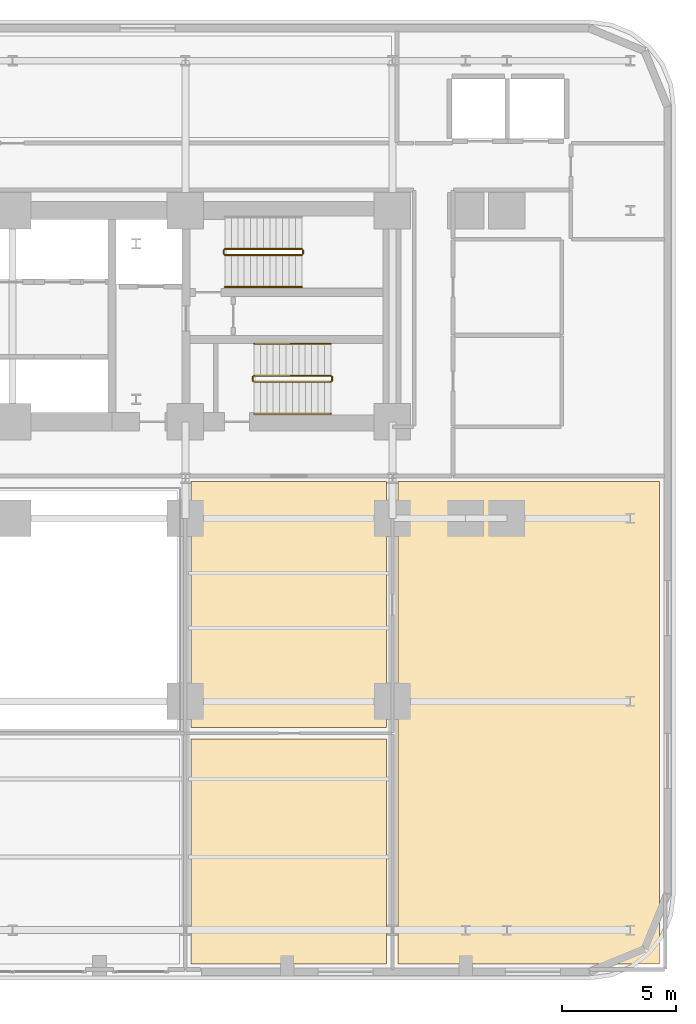
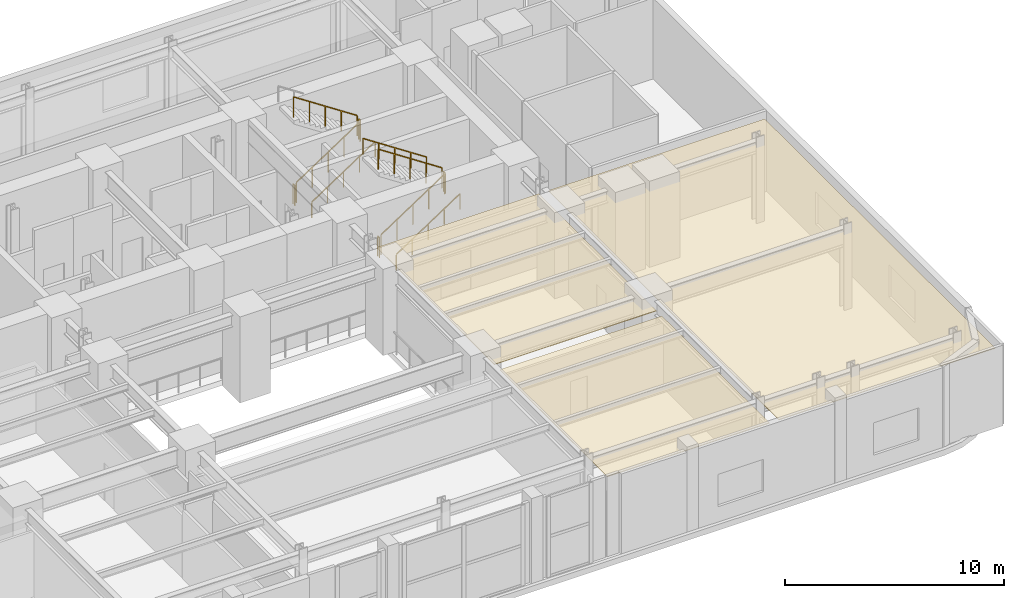
# One storey, part 14 of 16: 11 railings, 3 coverings.
"""IFC4 building model written with IfcOpenShell, lengths in metres."""

from ifc_helpers import new_model, si_unit, direction, frame, origin, origin_2d, place, context, subcontext, project, spatial, polyline, rectangle, outline, extrude, material, layer, layer_set, type_object, element, save


model = new_model("IFC4")

# Units and contexts
model_context = context("Model", 3, precision=1e-05, world=origin(), true_north=direction((0.0, 1.0)))
body_context = subcontext(model_context, "Body", "Model", "MODEL_VIEW")
ifc_project = project(units=[si_unit("LENGTHUNIT", "METRE"), si_unit("AREAUNIT", "SQUARE_METRE"), si_unit("VOLUMEUNIT", "CUBIC_METRE"), si_unit("PLANEANGLEUNIT", "RADIAN"), si_unit("MASSUNIT", "GRAM", prefix="KILO")], contexts=[model_context])

# Site, building, storey
site_placement = place(None, origin())
site = spatial("IfcSite", under=ifc_project, at=site_placement, CompositionType="ELEMENT")
building_placement = place(site_placement, origin())
building = spatial("IfcBuilding", under=site, at=building_placement, Name="Zarnavel Station Tower", CompositionType="ELEMENT")
storey_placement = place(building_placement, frame((0.0, 0.0, 19.39990234375)))
storey = spatial("IfcBuildingStorey", under=building, at=storey_placement, Name="L05", CompositionType="ELEMENT", Elevation=19.39990234375)

# Coverings
ifc_material_1 = material(Name="Perforated Gypsum and Mineral-Wool Acoustic Ceiling", Category="concrete")
ifc_layer = layer(ifc_material_1, 0.0400390625)
ifc_layer_set = layer_set([ifc_layer], Name="COV_CEIL_ACOUSTIC")
covering_type = type_object("IfcCoveringType", Name="COV_CEIL_ACOUSTIC", PredefinedType="CEILING", material=ifc_layer_set)
covering_1_placement = place(storey_placement, frame((0.0, 0.0, 4.18017578125)))
element("IfcCovering", 1, at=covering_1_placement, inside=storey, type_object=covering_type, Name="L05 CONF1 Acoustic Ceiling", PredefinedType="CEILING", context=body_context, shape_type="SweptSolid", body=[
    extrude(outline(polyline([(36.60009765625, 4.1298828125), (45.14990234375, 4.1298828125), (45.14990234375, 13.949951171875), (36.60009765625, 13.949951171875), (36.60009765625, 4.1298828125)])), origin(), (0.0, 0.0, 1.0), 0.0400390625),
])
covering_2_placement = place(storey_placement, frame((0.0, 0.0, 4.18017578125)))
element("IfcCovering", 2, at=covering_2_placement, inside=storey, type_object=covering_type, Name="L05 CONF2 Acoustic Ceiling", PredefinedType="CEILING", context=body_context, shape_type="SweptSolid", body=[
    extrude(outline(polyline([(36.60009765625, 14.449951171875), (45.14990234375, 14.449951171875), (45.14990234375, 25.199951171875), (36.60009765625, 25.199951171875), (36.60009765625, 14.449951171875)])), origin(), (0.0, 0.0, 1.0), 0.0400390625),
])
covering_3_placement = place(storey_placement, frame((0.0, 0.0, 4.18017578125)))
element("IfcCovering", 3, at=covering_3_placement, inside=storey, type_object=covering_type, Name="L05 CONF3 Acoustic Ceiling", PredefinedType="CEILING", context=body_context, shape_type="SweptSolid", body=[
    extrude(outline(polyline([(45.64990234375, 4.1298828125), (57.070068359375, 4.1298828125), (57.070068359375, 25.199951171875), (45.64990234375, 25.199951171875), (45.64990234375, 4.1298828125)])), origin(), (0.0, 0.0, 1.0), 0.0400390625),
])

# Railings
ifc_material_2 = material(Name="Painted Steel S355J2 Balustrade", Category="steel")
railing_type_1 = type_object("IfcRailingType", Name="GR_INT_1150", PredefinedType="GUARDRAIL", material=ifc_material_2)
railing_1_placement = place(storey_placement, frame((38.080078125, 35.110107421875, 0.184814453125)))
element("IfcRailing", 4, at=railing_1_placement, inside=storey, type_object=railing_type_1, Name="L05 ST2 stair guard 1", PredefinedType="GUARDRAIL", context=body_context, shape_type="SweptSolid", body=[
    extrude(rectangle(XDim=0.048095703125, YDim=0.048095703125, at=origin_2d()), frame((0.001708984375, 0.0, 1.126953125), z_axis=(0.834858096282, 0.0, 0.550465220583), x_axis=(0.0, 1.0, 0.0)), (0.0, 0.0, 1.0), 4.0205078125),
    extrude(rectangle(XDim=0.0419921875, YDim=0.0419921875, at=origin_2d()), origin(), (0.0, 0.0, 1.0), 1.101806640625),
    extrude(rectangle(XDim=0.0419921875, YDim=0.0419921875, at=origin_2d()), frame((0.83984375, 0.0, 0.5537109375)), (0.0, 0.0, 1.0), 1.101806640625),
    extrude(rectangle(XDim=0.0419921875, YDim=0.0419921875, at=origin_2d()), frame((1.679931640625, 0.0, 1.107666015625)), (0.0, 0.0, 1.0), 1.101806640625),
    extrude(rectangle(XDim=0.0419921875, YDim=0.0419921875, at=origin_2d()), frame((2.52001953125, 0.0, 1.66162109375)), (0.0, 0.0, 1.0), 1.101806640625),
    extrude(rectangle(XDim=0.0419921875, YDim=0.0419921875, at=origin_2d()), frame((3.35986328125, 0.0, 2.21533203125)), (0.0, 0.0, 1.0), 1.101806640625),
])
railing_2_placement = place(storey_placement, frame((41.489990234375, 35.159912109375, 2.400146484375)))
element("IfcRailing", 5, at=railing_2_placement, inside=storey, type_object=railing_type_1, Name="L05 ST2 stair guard 2", PredefinedType="GUARDRAIL", context=body_context, shape_type="SweptSolid", body=[
    extrude(rectangle(XDim=0.048095703125, YDim=0.048095703125, at=origin_2d()), frame((0.0, 0.001953125, 1.1259765625), z_axis=(0.0, 1.0, 0.0), x_axis=(-1.0, 0.0, 0.0)), (0.0, 0.0, 1.0), 0.15625),
    extrude(rectangle(XDim=0.0419921875, YDim=0.0419921875, at=origin_2d()), origin(), (0.0, 0.0, 1.0), 1.101806640625),
    extrude(rectangle(XDim=0.0419921875, YDim=0.0419921875, at=origin_2d()), frame((0.0, 0.16015625, 0.0)), (0.0, 0.0, 1.0), 1.101806640625),
])
railing_3_placement = place(storey_placement, frame((41.43994140625, 35.3701171875, 2.584716796875)))
element("IfcRailing", 6, at=railing_3_placement, inside=storey, type_object=railing_type_1, Name="L05 ST2 stair guard 3", PredefinedType="GUARDRAIL", context=body_context, shape_type="SweptSolid", body=[
    extrude(rectangle(XDim=0.048095703125, YDim=0.048095703125, at=origin_2d()), frame((-0.001708984375, 0.0, 1.126953125), z_axis=(-0.834858096282, 0.0, 0.550465220583), x_axis=(0.0, -1.0, 0.0)), (0.0, 0.0, 1.0), 4.0205078125),
    extrude(rectangle(XDim=0.0419921875, YDim=0.0419921875, at=origin_2d()), origin(), (0.0, 0.0, 1.0), 1.101806640625),
    extrude(rectangle(XDim=0.0419921875, YDim=0.0419921875, at=origin_2d()), frame((-0.83984375, 0.0, 0.5537109375)), (0.0, 0.0, 1.0), 1.101806640625),
    extrude(rectangle(XDim=0.0419921875, YDim=0.0419921875, at=origin_2d()), frame((-1.679931640625, 0.0, 1.107666015625)), (0.0, 0.0, 1.0), 1.101806640625),
    extrude(rectangle(XDim=0.0419921875, YDim=0.0419921875, at=origin_2d()), frame((-2.52001953125, 0.0, 1.66162109375)), (0.0, 0.0, 1.0), 1.101806640625),
    extrude(rectangle(XDim=0.0419921875, YDim=0.0419921875, at=origin_2d()), frame((-3.35986328125, 0.0, 2.21533203125)), (0.0, 0.0, 1.0), 1.101806640625),
])
railing_4_placement = place(storey_placement, frame((38.030029296875, 35.159912109375, 0.0)))
element("IfcRailing", 7, at=railing_4_placement, inside=storey, type_object=railing_type_1, Name="L05 ST2 stair guard 4", PredefinedType="GUARDRAIL", context=body_context, shape_type="SweptSolid", body=[
    extrude(rectangle(XDim=0.048095703125, YDim=0.048095703125, at=origin_2d()), frame((0.0, 0.001953125, 1.1259765625), z_axis=(0.0, 1.0, 0.0), x_axis=(-1.0, 0.0, 0.0)), (0.0, 0.0, 1.0), 0.15625),
    extrude(rectangle(XDim=0.0419921875, YDim=0.0419921875, at=origin_2d()), origin(), (0.0, 0.0, 1.0), 1.101806640625),
    extrude(rectangle(XDim=0.0419921875, YDim=0.0419921875, at=origin_2d()), frame((0.0, 0.16015625, 0.0)), (0.0, 0.0, 1.0), 1.101806640625),
])
railing_5_placement = place(storey_placement, frame((39.35009765625, 29.570068359375, 0.184814453125)))
element("IfcRailing", 8, at=railing_5_placement, inside=storey, type_object=railing_type_1, Name="L05 ST3 stair guard 1", PredefinedType="GUARDRAIL", context=body_context, shape_type="SweptSolid", body=[
    extrude(rectangle(XDim=0.048095703125, YDim=0.048095703125, at=origin_2d()), frame((0.001708984375, 0.0, 1.126953125), z_axis=(0.834858096282, 0.0, 0.550465220583), x_axis=(0.0, 1.0, 0.0)), (0.0, 0.0, 1.0), 4.0205078125),
    extrude(rectangle(XDim=0.0419921875, YDim=0.0419921875, at=origin_2d()), origin(), (0.0, 0.0, 1.0), 1.101806640625),
    extrude(rectangle(XDim=0.0419921875, YDim=0.0419921875, at=origin_2d()), frame((0.83984375, 0.0, 0.5537109375)), (0.0, 0.0, 1.0), 1.101806640625),
    extrude(rectangle(XDim=0.0419921875, YDim=0.0419921875, at=origin_2d()), frame((1.679931640625, 0.0, 1.107666015625)), (0.0, 0.0, 1.0), 1.101806640625),
    extrude(rectangle(XDim=0.0419921875, YDim=0.0419921875, at=origin_2d()), frame((2.52001953125, 0.0, 1.66162109375)), (0.0, 0.0, 1.0), 1.101806640625),
    extrude(rectangle(XDim=0.0419921875, YDim=0.0419921875, at=origin_2d()), frame((3.35986328125, 0.0, 2.21533203125)), (0.0, 0.0, 1.0), 1.101806640625),
])
railing_6_placement = place(storey_placement, frame((42.760009765625, 29.6201171875, 2.400146484375)))
element("IfcRailing", 9, at=railing_6_placement, inside=storey, type_object=railing_type_1, Name="L05 ST3 stair guard 2", PredefinedType="GUARDRAIL", context=body_context, shape_type="SweptSolid", body=[
    extrude(rectangle(XDim=0.048095703125, YDim=0.048095703125, at=origin_2d()), frame((0.0, 0.001953125, 1.1259765625), z_axis=(0.0, 1.0, 0.0), x_axis=(-1.0, 0.0, 0.0)), (0.0, 0.0, 1.0), 0.156005859375),
    extrude(rectangle(XDim=0.0419921875, YDim=0.0419921875, at=origin_2d()), origin(), (0.0, 0.0, 1.0), 1.101806640625),
    extrude(rectangle(XDim=0.0419921875, YDim=0.0419921875, at=origin_2d()), frame((0.0, 0.159912109375, 0.0)), (0.0, 0.0, 1.0), 1.101806640625),
])
railing_7_placement = place(storey_placement, frame((42.7099609375, 29.830078125, 2.584716796875)))
element("IfcRailing", 10, at=railing_7_placement, inside=storey, type_object=railing_type_1, Name="L05 ST3 stair guard 3", PredefinedType="GUARDRAIL", context=body_context, shape_type="SweptSolid", body=[
    extrude(rectangle(XDim=0.048095703125, YDim=0.048095703125, at=origin_2d()), frame((-0.001708984375, 0.0, 1.126953125), z_axis=(-0.834858096282, 0.0, 0.550465220583), x_axis=(0.0, -1.0, 0.0)), (0.0, 0.0, 1.0), 4.0205078125),
    extrude(rectangle(XDim=0.0419921875, YDim=0.0419921875, at=origin_2d()), origin(), (0.0, 0.0, 1.0), 1.101806640625),
    extrude(rectangle(XDim=0.0419921875, YDim=0.0419921875, at=origin_2d()), frame((-0.83984375, 0.0, 0.5537109375)), (0.0, 0.0, 1.0), 1.101806640625),
    extrude(rectangle(XDim=0.0419921875, YDim=0.0419921875, at=origin_2d()), frame((-1.679931640625, 0.0, 1.107666015625)), (0.0, 0.0, 1.0), 1.101806640625),
    extrude(rectangle(XDim=0.0419921875, YDim=0.0419921875, at=origin_2d()), frame((-2.52001953125, 0.0, 1.66162109375)), (0.0, 0.0, 1.0), 1.101806640625),
    extrude(rectangle(XDim=0.0419921875, YDim=0.0419921875, at=origin_2d()), frame((-3.35986328125, 0.0, 2.21533203125)), (0.0, 0.0, 1.0), 1.101806640625),
])
railing_8_placement = place(storey_placement, frame((39.300048828125, 29.6201171875, 0.0)))
element("IfcRailing", 11, at=railing_8_placement, inside=storey, type_object=railing_type_1, Name="L05 ST3 stair guard 4", PredefinedType="GUARDRAIL", context=body_context, shape_type="SweptSolid", body=[
    extrude(rectangle(XDim=0.048095703125, YDim=0.048095703125, at=origin_2d()), frame((0.0, 0.001953125, 1.1259765625), z_axis=(0.0, 1.0, 0.0), x_axis=(-1.0, 0.0, 0.0)), (0.0, 0.0, 1.0), 0.156005859375),
    extrude(rectangle(XDim=0.0419921875, YDim=0.0419921875, at=origin_2d()), origin(), (0.0, 0.0, 1.0), 1.101806640625),
    extrude(rectangle(XDim=0.0419921875, YDim=0.0419921875, at=origin_2d()), frame((0.0, 0.159912109375, 0.0)), (0.0, 0.0, 1.0), 1.101806640625),
])
ifc_material_3 = material(Name="Brushed Stainless Steel S355J2 Handrail", Category="steel")
railing_type_2 = type_object("IfcRailingType", Name="HR_STAIR_900", PredefinedType="HANDRAIL", material=ifc_material_3)
for number, where, name in (
    (12, (38.080078125, 33.7099609375, 0.184814453125), "L05 ST2 stair handrail 1"),
    (13, (39.35009765625, 28.169921875, 0.184814453125), "L05 ST3 stair handrail 1"),
):
    element("IfcRailing", number, at=place(storey_placement, frame(where)), inside=storey, type_object=railing_type_2, Name=name, PredefinedType="HANDRAIL", context=body_context, shape_type="SweptSolid", body=[
        extrude(rectangle(XDim=0.048095703125, YDim=0.048095703125, at=origin_2d()), frame((0.001708984375, 0.0, 0.876953125), z_axis=(0.834858096282, 0.0, 0.550465220583), x_axis=(0.0, 1.0, 0.0)), (0.0, 0.0, 1.0), 4.0205078125),
        extrude(rectangle(XDim=0.0419921875, YDim=0.0419921875, at=origin_2d()), origin(), (0.0, 0.0, 1.0), 0.851806640625),
        extrude(rectangle(XDim=0.0419921875, YDim=0.0419921875, at=origin_2d()), frame((0.83984375, 0.0, 0.5537109375)), (0.0, 0.0, 1.0), 0.851806640625),
        extrude(rectangle(XDim=0.0419921875, YDim=0.0419921875, at=origin_2d()), frame((1.679931640625, 0.0, 1.107666015625)), (0.0, 0.0, 1.0), 0.851806640625),
        extrude(rectangle(XDim=0.0419921875, YDim=0.0419921875, at=origin_2d()), frame((2.52001953125, 0.0, 1.66162109375)), (0.0, 0.0, 1.0), 0.851806640625),
        extrude(rectangle(XDim=0.0419921875, YDim=0.0419921875, at=origin_2d()), frame((3.35986328125, 0.0, 2.21533203125)), (0.0, 0.0, 1.0), 0.851806640625),
    ])
railing_9_placement = place(storey_placement, frame((42.7099609375, 31.22998046875, 2.584716796875)))
element("IfcRailing", 14, at=railing_9_placement, inside=storey, type_object=railing_type_2, Name="L05 ST3 stair handrail 2", PredefinedType="HANDRAIL", context=body_context, shape_type="SweptSolid", body=[
    extrude(rectangle(XDim=0.048095703125, YDim=0.048095703125, at=origin_2d()), frame((-0.001708984375, 0.0, 0.876953125), z_axis=(-0.834858096282, 0.0, 0.550465220583), x_axis=(0.0, -1.0, 0.0)), (0.0, 0.0, 1.0), 4.0205078125),
    extrude(rectangle(XDim=0.0419921875, YDim=0.0419921875, at=origin_2d()), origin(), (0.0, 0.0, 1.0), 0.851806640625),
    extrude(rectangle(XDim=0.0419921875, YDim=0.0419921875, at=origin_2d()), frame((-0.83984375, 0.0, 0.5537109375)), (0.0, 0.0, 1.0), 0.851806640625),
    extrude(rectangle(XDim=0.0419921875, YDim=0.0419921875, at=origin_2d()), frame((-1.679931640625, 0.0, 1.107666015625)), (0.0, 0.0, 1.0), 0.851806640625),
    extrude(rectangle(XDim=0.0419921875, YDim=0.0419921875, at=origin_2d()), frame((-2.52001953125, 0.0, 1.66162109375)), (0.0, 0.0, 1.0), 0.851806640625),
    extrude(rectangle(XDim=0.0419921875, YDim=0.0419921875, at=origin_2d()), frame((-3.35986328125, 0.0, 2.21533203125)), (0.0, 0.0, 1.0), 0.851806640625),
])

save(model, "model.ifc")
